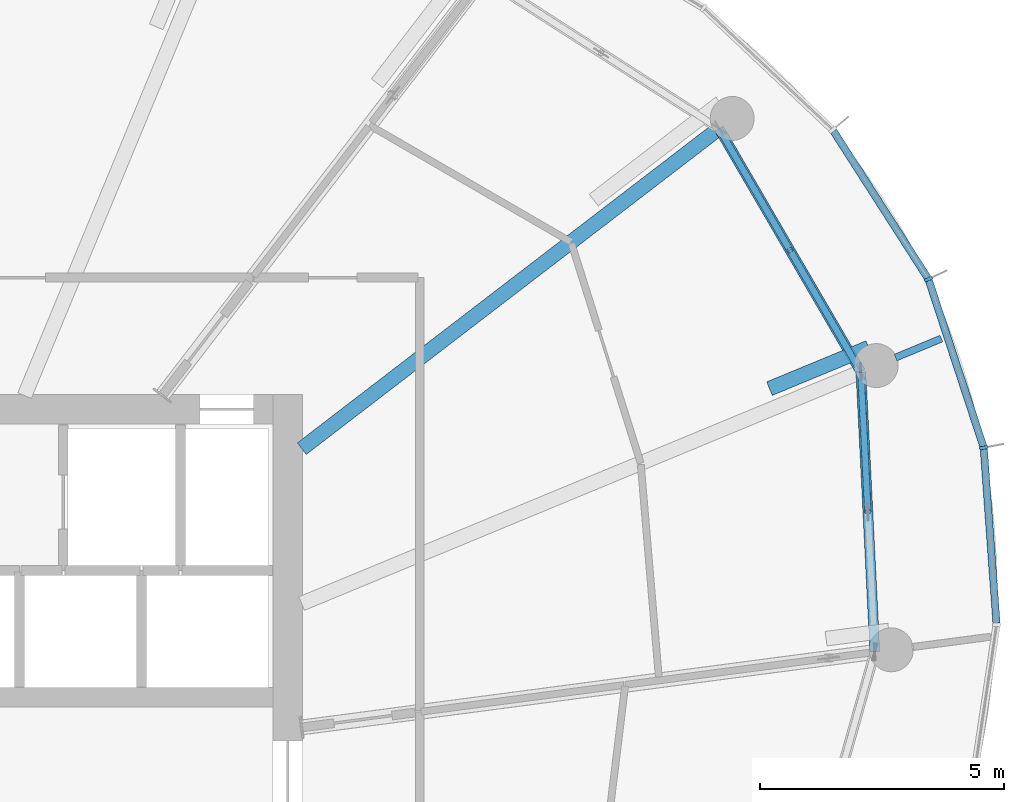
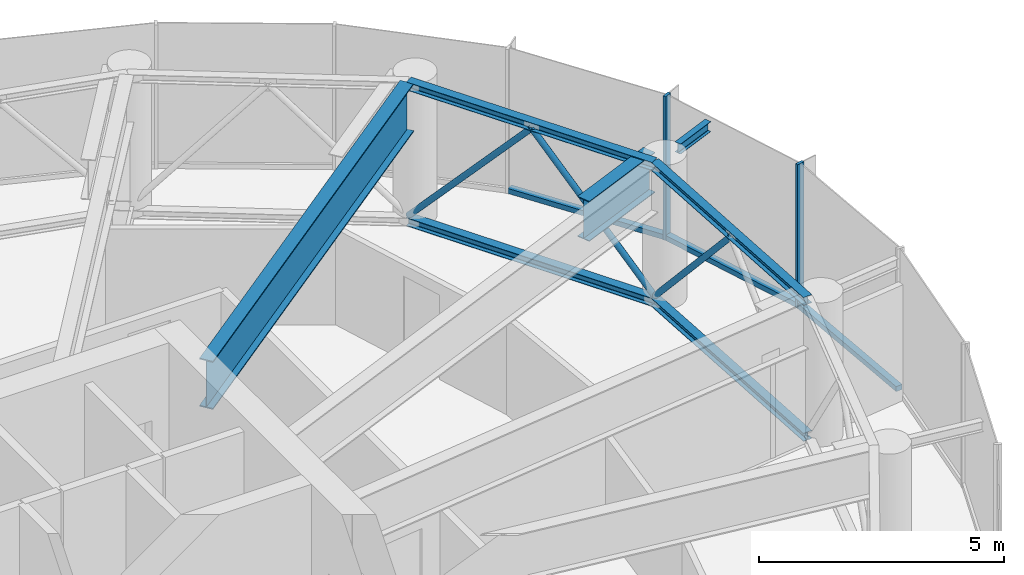
# One storey, part 10 of 26: 12 members, 3 beams, 2 elements without a shape of their own.
"""IFC4 building model written with IfcOpenShell, lengths in metres."""

from ifc_helpers import new_model, si_unit, direction, frame, origin, origin_2d, place, context, subcontext, project, spatial, rectangle, hollow_circle, i_section, extrude, source, transform, mapped, material, layer, layer_set, material_profile, profile_set, type_object, element, aggregate, save


model = new_model("IFC4")

# Units and contexts
model_context = context("Model", 3, precision=1e-05, world=origin(), true_north=direction((0.0, 1.0)))
body_context = subcontext(model_context, "Body", "Model", "MODEL_VIEW")
ifc_project = project(units=[si_unit("LENGTHUNIT", "METRE"), si_unit("AREAUNIT", "SQUARE_METRE"), si_unit("VOLUMEUNIT", "CUBIC_METRE"), si_unit("PLANEANGLEUNIT", "RADIAN"), si_unit("MASSUNIT", "GRAM", prefix="KILO")], contexts=[model_context])

# Site, building, storey
site_placement = place(None, origin())
site = spatial("IfcSite", under=ifc_project, at=site_placement, CompositionType="ELEMENT")
building_placement = place(site_placement, origin())
building = spatial("IfcBuilding", under=site, at=building_placement, Name="Spindrift Exchange Tower", CompositionType="ELEMENT")
storey_placement = place(building_placement, frame((0.0, 0.0, 230.60009765625)))
storey = spatial("IfcBuildingStorey", under=building, at=storey_placement, Name="L56", CompositionType="ELEMENT", Elevation=230.60009765625)

# Beams
ifc_material_1 = material(Name="Steel Grade 300", Category="steel")
ifc_material_profile_1 = material_profile(ifc_material_1, i_section(OverallWidth=0.14599609375, OverallDepth=0.251953125, WebThickness=0.006103515625, FlangeThickness=0.008544921875, FilletRadius=0.011962890625, at=origin_2d()), Name="250UB31.4")
ifc_profile_set_1 = profile_set([ifc_material_profile_1], Name="Steel Grade 300")
beam_type_1 = type_object("IfcBeamType", Name="Cantilever Beam 250UB31.4 Steel Grade 300", PredefinedType="BEAM", material=ifc_profile_set_1)
shared_shape_1 = source(origin(), body_context, "Body", "SweptSolid", [
    extrude(i_section(OverallWidth=0.14599609375, OverallDepth=0.251953125, WebThickness=0.006103515625, FlangeThickness=0.008544921875, FilletRadius=0.011962890625, at=origin_2d()), origin(), (0.0, 0.0, 1.0), 1.014892578125),
])
beam_1_placement = place(storey_placement, frame((73.150390625, 56.7607421875, 3.453857421875), z_axis=(0.923879047191, 0.38268460403, 0.0), x_axis=(-0.38268460403, 0.923879047191, 0.0)))
element("IfcBeam", 1, at=beam_1_placement, inside=storey, type_object=beam_type_1, Name="L56 cantilever beam R02T", PredefinedType="BEAM", context=body_context, shape_type="MappedRepresentation", body=[
    mapped(shared_shape_1, transform((0.0, 0.0, 0.0), scale=1.0)),
])
ifc_material_profile_2 = material_profile(ifc_material_1, i_section(OverallWidth=0.300048828125, OverallDepth=1.199951171875, WebThickness=0.011962890625, FlangeThickness=0.028076171875, at=origin_2d()), Name="1200WB249")
ifc_profile_set_2 = profile_set([ifc_material_profile_2], Name="Steel Grade 300")
beam_type_2 = type_object("IfcBeamType", Name="Transfer Girder 1200WB249 Steel Grade 300", PredefinedType="BEAM", material=ifc_profile_set_2)
shared_shape_2 = source(origin(), body_context, "Body", "SweptSolid", [
    extrude(i_section(OverallWidth=0.300048828125, OverallDepth=1.199951171875, WebThickness=0.011962890625, FlangeThickness=0.028076171875, at=origin_2d()), origin(), (0.0, 0.0, 1.0), 10.684814453125),
])
beam_2_placement = place(storey_placement, frame((60.984130859375, 54.893798828125, 2.97998046875), z_axis=(0.793357316898, 0.608756246559, 0.0), x_axis=(-0.608756246559, 0.793357316898, 0.0)))
element("IfcBeam", 2, at=beam_2_placement, inside=storey, type_object=beam_type_2, Name="L56 radial beam R03A", PredefinedType="BEAM", context=body_context, shape_type="MappedRepresentation", body=[
    mapped(shared_shape_2, transform((0.0, 0.0, 0.0), scale=1.0)),
])

# Members
ifc_material_profile_3 = material_profile(ifc_material_1, i_section(OverallWidth=0.202880859375, OverallDepth=0.202880859375, WebThickness=0.00732421875, FlangeThickness=0.010986328125, FilletRadius=0.012939453125, at=origin_2d()), Name="200UC46.2")
ifc_profile_set_3 = profile_set([ifc_material_profile_3], Name="Steel Grade 300")
member_type_1 = type_object("IfcMemberType", Name="Belt Truss Chord 200UC46.2 Steel Grade 300", PredefinedType="CHORD", material=ifc_profile_set_3)
shared_shape_3 = source(origin(), body_context, "Body", "SweptSolid", [
    extrude(i_section(OverallWidth=0.202880859375, OverallDepth=0.202880859375, WebThickness=0.00732421875, FlangeThickness=0.010986328125, FilletRadius=0.012939453125, at=origin_2d()), origin(), (0.0, 0.0, 1.0), 5.74462890625),
])
for number, where, z_axis, x_axis, name in (
    (3, (72.72509765625, 50.728515625, 3.478515625), (-0.049808319143, 0.998758795378, 0.0), (-0.998758795378, -0.049808319143, 0.0), "L56 belt truss 01 top chord"),
    (4, (72.72509765625, 50.728515625, 0.101318359375), (-0.049808319143, 0.998758795378, 0.0), (-0.998758795378, -0.049808319143, 0.0), "L56 belt truss 01 bottom chord"),
):
    element("IfcMember", number, at=place(storey_placement, frame(where, z_axis=z_axis, x_axis=x_axis)), inside=storey, type_object=member_type_1, Name=name, PredefinedType="CHORD", context=body_context, shape_type="MappedRepresentation", body=[
        mapped(shared_shape_3, transform((0.0, 0.0, 0.0), scale=1.0)),
    ])
ifc_material_2 = material(Name="Steel Grade 350", Category="steel")
ifc_material_profile_4 = material_profile(ifc_material_2, hollow_circle(Radius=0.06982421875, WallThickness=0.00537109375, at=origin_2d()), Name="139.7x5.4CHS")
ifc_profile_set_4 = profile_set([ifc_material_profile_4], Name="Steel Grade 350")
member_type_2 = type_object("IfcMemberType", Name="Belt Truss Diagonal 139.7x5.4CHS Steel Grade 350", PredefinedType="BRACE", material=ifc_profile_set_4)
shared_shape_4 = source(origin(), body_context, "Body", "SweptSolid", [
    extrude(hollow_circle(Radius=0.06982421875, WallThickness=0.00537109375, at=origin_2d()), origin(), (0.0, 0.0, 1.0), 4.28076171875),
])
member_1_placement = place(storey_placement, frame((72.58203125, 53.597412109375, 3.376953125), z_axis=(-0.033421285747, 0.670136702261, -0.74148487371), x_axis=(-0.998758689938, -0.049810433388, 0.0)))
element("IfcMember", 5, at=member_1_placement, inside=storey, type_object=member_type_2, Name="L56 belt truss 01 diagonal 2", PredefinedType="BRACE", context=body_context, shape_type="MappedRepresentation", body=[
    mapped(shared_shape_4, transform((0.0, 0.0, 0.0), scale=1.0)),
])
shared_shape_5 = source(origin(), body_context, "Body", "SweptSolid", [
    extrude(i_section(OverallWidth=0.202880859375, OverallDepth=0.202880859375, WebThickness=0.00732421875, FlangeThickness=0.010986328125, FilletRadius=0.012939453125, at=origin_2d()), origin(), (0.0, 0.0, 1.0), 5.77197265625),
])
for number, where, z_axis, x_axis, name in (
    (6, (72.43896484375, 56.466064453125, 3.478515625), (-0.503550144422, 0.863966001676, 0.0), (-0.863966001676, -0.503550144422, 0.0), "L56 belt truss 02 top chord"),
    (7, (72.43896484375, 56.466064453125, 0.101318359375), (-0.503550144422, 0.863966001676, 0.0), (-0.863966001676, -0.503550144422, 0.0), "L56 belt truss 02 bottom chord"),
):
    element("IfcMember", number, at=place(storey_placement, frame(where, z_axis=z_axis, x_axis=x_axis)), inside=storey, type_object=member_type_1, Name=name, PredefinedType="CHORD", context=body_context, shape_type="MappedRepresentation", body=[
        mapped(shared_shape_5, transform((0.0, 0.0, 0.0), scale=1.0)),
    ])
shared_shape_6 = source(origin(), body_context, "Body", "SweptSolid", [
    extrude(hollow_circle(Radius=0.06982421875, WallThickness=0.00537109375, at=origin_2d()), origin(), (0.0, 0.0, 1.0), 4.2900390625),
])
member_2_placement = place(storey_placement, frame((72.43896484375, 56.466064453125, 0.202880859375), z_axis=(-0.338769469925, 0.58125169928, 0.739852490927), x_axis=(-0.863969049968, -0.50354491428, 0.0)))
element("IfcMember", 8, at=member_2_placement, inside=storey, type_object=member_type_2, Name="L56 belt truss 02 diagonal 1", PredefinedType="BRACE", context=body_context, shape_type="MappedRepresentation", body=[
    mapped(shared_shape_6, transform((0.0, 0.0, 0.0), scale=1.0)),
])
shared_shape_7 = source(origin(), body_context, "Body", "SweptSolid", [
    extrude(hollow_circle(Radius=0.06982421875, WallThickness=0.00537109375, at=origin_2d()), origin(), (0.0, 0.0, 1.0), 4.289794921875),
])
member_3_placement = place(storey_placement, frame((70.985595703125, 58.959716796875, 3.376953125), z_axis=(-0.338741500926, 0.581187534854, -0.739915701199), x_axis=(-0.863962952778, -0.503555375532, 0.0)))
element("IfcMember", 9, at=member_3_placement, inside=storey, type_object=member_type_2, Name="L56 belt truss 02 diagonal 2", PredefinedType="BRACE", context=body_context, shape_type="MappedRepresentation", body=[
    mapped(shared_shape_7, transform((0.0, 0.0, 0.0), scale=1.0)),
])

# Beam
ifc_material_profile_5 = material_profile(ifc_material_1, i_section(OverallWidth=0.300048828125, OverallDepth=1.0, WebThickness=0.010009765625, FlangeThickness=0.02001953125, at=origin_2d()), Name="1000WB215")
ifc_profile_set_5 = profile_set([ifc_material_profile_5], Name="Steel Grade 300")
beam_type_3 = type_object("IfcBeamType", Name="Transfer Tie Beam 1000WB215 Steel Grade 300", PredefinedType="BEAM", material=ifc_profile_set_5)
shared_shape_8 = source(origin(), body_context, "Body", "SweptSolid", [
    extrude(i_section(OverallWidth=0.300048828125, OverallDepth=1.0, WebThickness=0.010009765625, FlangeThickness=0.02001953125, at=origin_2d()), origin(), (0.0, 0.0, 1.0), 2.201171875),
])
beam_3_placement = place(storey_placement, frame((72.60009765625, 56.9658203125, 2.97998046875), z_axis=(-0.923895176824, -0.38264566147, 0.0), x_axis=(0.38264566147, -0.923895176824, 0.0)))
element("IfcBeam", 10, at=beam_3_placement, inside=storey, type_object=beam_type_3, Name="L56 transfer tie beam K02", PredefinedType="BEAM", context=body_context, shape_type="MappedRepresentation", body=[
    mapped(shared_shape_8, transform((0.0, 0.0, 0.0), scale=1.0)),
])

# Curtain wall, member
ifc_material_3 = material(Name="Fritted laminated glass with bronze frame", Category="glass")
ifc_layer = layer(ifc_material_3, 0.169921875)
ifc_layer_set = layer_set([ifc_layer], Name="ZONE 4 BRONZE FRITTED WALL")
curtain_wall_type = type_object("IfcCurtainWallType", Name="ZONE 4 BRONZE FRITTED WALL", PredefinedType="NOTDEFINED", material=ifc_layer_set)
curtain_wall_1_placement = place(storey_placement, origin())
curtain_wall_1 = element("IfcCurtainWall", 11, at=curtain_wall_1_placement, inside=storey, type_object=curtain_wall_type, Name="L56 Zone 4 Bronze Fritted Wall run 1", PredefinedType="NOTDEFINED")
ifc_material_4 = material(Name="Bronze anodised aluminium", Category="aluminium")
ifc_material_profile_6 = material_profile(ifc_material_4, rectangle(XDim=0.06494140625, YDim=0.169921875, at=origin_2d()), Name="ZONE 4 BRONZE FRITTED WALL MULLION 65X170")
ifc_profile_set_6 = profile_set([ifc_material_profile_6], Name="Bronze anodised aluminium")
member_type_3 = type_object("IfcMemberType", Name="ZONE 4 BRONZE FRITTED WALL MULLION 65X170", PredefinedType="MULLION", material=ifc_profile_set_6)
shared_shape_9 = source(origin(), body_context, "Body", "SweptSolid", [
    extrude(rectangle(XDim=0.06494140625, YDim=0.169921875, at=origin_2d()), origin(), (0.0, 0.0, 1.0), 3.579833984375),
])
member_4_placement = place(storey_placement, frame((73.8232421875, 58.366943359375, 0.0), z_axis=(0.0, 0.0, 1.0), x_axis=(-0.429096596132, 0.903258607038, 0.0)))
member_4 = element("IfcMember", 12, at=member_4_placement, type_object=member_type_3, Name="L56 mullion CW-4.1", PredefinedType="MULLION", context=body_context, shape_type="MappedRepresentation", body=[
    mapped(shared_shape_9, transform((0.0, 0.0, 0.0), scale=1.0)),
])

curtain_wall_2_placement = place(storey_placement, origin())
curtain_wall_2 = element("IfcCurtainWall", 13, at=curtain_wall_2_placement, inside=storey, type_object=curtain_wall_type, Name="L56 Zone 4 Bronze Fritted Wall run 6", PredefinedType="NOTDEFINED")
member_5_placement = place(storey_placement, frame((74.955810546875, 54.91259765625, 0.0), z_axis=(0.0, 0.0, 1.0), x_axis=(-0.193533207794, 0.981093725126, 0.0)))
member_5 = element("IfcMember", 14, at=member_5_placement, type_object=member_type_3, Name="L56 mullion CW-4.37", PredefinedType="MULLION", context=body_context, shape_type="MappedRepresentation", body=[
    mapped(shared_shape_9, transform((0.0, 0.0, 0.0), scale=1.0)),
])

# Member
ifc_material_profile_7 = material_profile(ifc_material_4, rectangle(XDim=0.14990234375, YDim=0.125, at=origin_2d()), Name="ZONE 4 BRONZE FRITTED WALL TRANSOM 150X125")
ifc_profile_set_7 = profile_set([ifc_material_profile_7], Name="Bronze anodised aluminium")
member_type_4 = type_object("IfcMemberType", Name="ZONE 4 BRONZE FRITTED WALL TRANSOM 150X125", PredefinedType="USERDEFINED", material=ifc_profile_set_7)
shared_shape_10 = source(origin(), body_context, "Body", "SweptSolid", [
    extrude(rectangle(XDim=0.14990234375, YDim=0.125, at=origin_2d()), origin(), (0.0, 0.0, 1.0), 3.5703125),
])
member_6_placement = place(storey_placement, frame((73.8056640625, 58.394287109375, 0.0625), z_axis=(-0.539730734072, 0.841837712804, 0.0), x_axis=(-0.841837712804, -0.539730734072, 0.0)))
member_6 = element("IfcMember", 15, at=member_6_placement, type_object=member_type_4, Name="L56 transom CW-4.1", ObjectType="TRANSOM", PredefinedType="USERDEFINED", context=body_context, shape_type="MappedRepresentation", body=[
    mapped(shared_shape_10, transform((0.0, 0.0, 0.0), scale=1.0)),
])

aggregate(curtain_wall_1, [member_4, member_6])

member_7_placement = place(storey_placement, frame((74.94580078125, 54.943603515625, 0.0625), z_axis=(-0.311546620367, 0.950230868441, 0.0), x_axis=(-0.950230868441, -0.311546620367, 0.0)))
member_7 = element("IfcMember", 16, at=member_7_placement, type_object=member_type_4, Name="L56 transom CW-4.37", ObjectType="TRANSOM", PredefinedType="USERDEFINED", context=body_context, shape_type="MappedRepresentation", body=[
    mapped(shared_shape_10, transform((0.0, 0.0, 0.0), scale=1.0)),
])

shared_shape_11 = source(origin(), body_context, "Body", "SweptSolid", [
    extrude(rectangle(XDim=0.14990234375, YDim=0.125, at=origin_2d()), origin(), (0.0, 0.0, 1.0), 3.57177734375),
])
member_8_placement = place(storey_placement, frame((75.217529296875, 51.318115234375, 0.0625), z_axis=(-0.072592564154, 0.997361679447, 0.0), x_axis=(-0.997361679447, -0.072592564154, 0.0)))
member_8 = element("IfcMember", 17, at=member_8_placement, type_object=member_type_4, Name="L56 transom CW-4.36", ObjectType="TRANSOM", PredefinedType="USERDEFINED", context=body_context, shape_type="MappedRepresentation", body=[
    mapped(shared_shape_11, transform((0.0, 0.0, 0.0), scale=1.0)),
])

aggregate(curtain_wall_2, [member_8, member_5, member_7])

save(model, "model.ifc")
